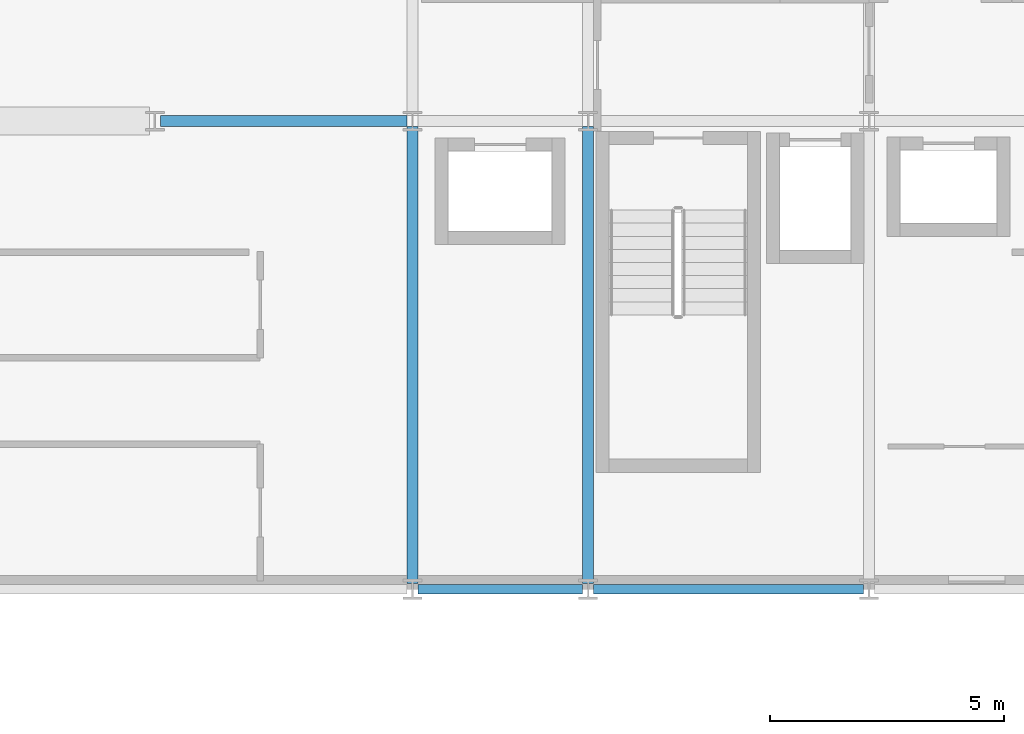
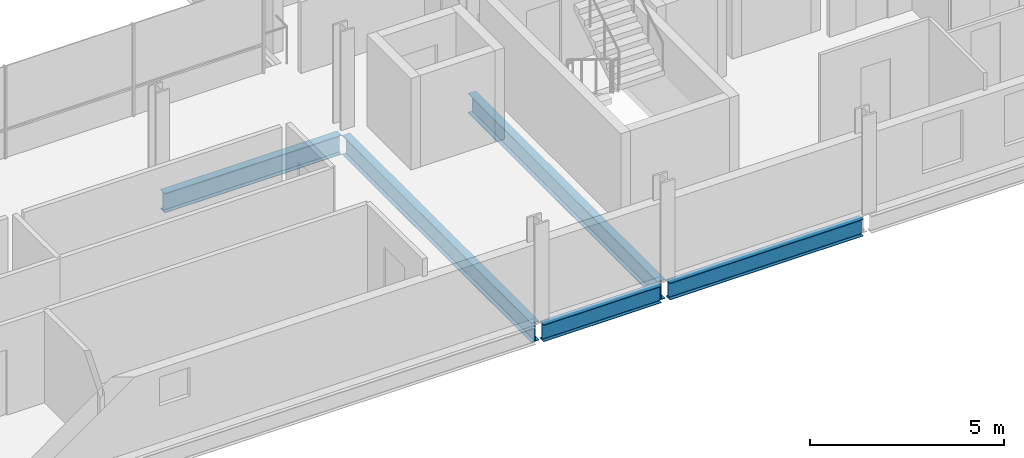
# One storey, part 12 of 40: 5 beams.
"""IFC4 building model written with IfcOpenShell, lengths in metres."""

import ifcopenshell
import ifcopenshell.guid

model = None  # the IFC model being written
_history = None  # IfcOwnerHistory: only IFC2X3 demands one
_inside = {}  # id of a spatial element -> (the spatial element, [elements in it])
_under = {}  # id of a project, library or spatial element -> (it, [spatial elements below it])
_declared = {}  # id of a project -> (the project, [libraries it declares])
_typed = {}  # id of a type object -> (the type object, [elements of that type])
_made_of = {}  # id of a material, layer set ... -> (it, [elements and type objects made of it])


def new_model(schema):
    """Start an empty IFC model of exactly this schema.

    Asked for "IFC4X3", IfcOpenShell would pick the latest addendum, in which some entities
    have other attributes; the version numbers below select the first issue.
    IFC2X3 requires an IfcOwnerHistory on every rooted entity: one is made here for all.
    """
    global model, _history
    if schema == "IFC4X3":
        model = ifcopenshell.file(schema_version=(4, 3, 0, 0))
    else:
        model = ifcopenshell.file(schema=schema)
    _inside.clear()
    _under.clear()
    _declared.clear()
    _typed.clear()
    _made_of.clear()
    _history = None
    if model.schema == "IFC2X3":
        org = make("IfcOrganization", Name="unknown")
        user = make(
            "IfcPersonAndOrganization",
            ThePerson=make("IfcPerson", FamilyName="unknown"),
            TheOrganization=org,
        )
        app = make(
            "IfcApplication",
            ApplicationDeveloper=org,
            Version="unknown",
            ApplicationFullName="unknown",
            ApplicationIdentifier="unknown",
        )
        _history = make(
            "IfcOwnerHistory",
            OwningUser=user,
            OwningApplication=app,
            ChangeAction="ADDED",
            CreationDate=0,
        )
    return model


def make(cls, **values):
    """One entity of the class cls with the attributes given. An attribute that is None is left unset."""
    return model.create_entity(
        cls, **{name: value for name, value in values.items() if value is not None}
    )


def rooted(cls, **values):
    """An entity with a GlobalId (a new one), such as an element, a storey or a relation."""
    return make(cls, GlobalId=ifcopenshell.guid.new(), OwnerHistory=_history, **values)


def si_unit(unit_type, name, prefix=None):
    """IfcSIUnit, for example si_unit("LENGTHUNIT", "METRE", prefix="MILLI")."""
    return make("IfcSIUnit", UnitType=unit_type, Prefix=prefix, Name=name)


def assignment(units):
    """IfcUnitAssignment: the units of a project."""
    return None if units is None else make("IfcUnitAssignment", Units=units)


def point(xyz):
    """IfcCartesianPoint."""
    return None if xyz is None else make("IfcCartesianPoint", Coordinates=xyz)


def direction(xyz):
    """IfcDirection."""
    return None if xyz is None else make("IfcDirection", DirectionRatios=xyz)


def frame(location, z_axis=None, x_axis=None):
    """IfcAxis2Placement3D, a coordinate frame: its origin and axes. An axis left out is left unset."""
    return make(
        "IfcAxis2Placement3D",
        Location=point(location),
        Axis=direction(z_axis),
        RefDirection=direction(x_axis),
    )


def frame_2d(location, x_axis=None):
    """IfcAxis2Placement2D, a coordinate frame in the plane: its origin and x axis."""
    return make(
        "IfcAxis2Placement2D", Location=point(location), RefDirection=direction(x_axis)
    )


def origin():
    """The frame at (0, 0, 0) with its axes left unset."""
    return frame((0.0, 0.0, 0.0))


def origin_2d():
    """The frame at (0, 0) in the plane with its x axis left unset."""
    return frame_2d((0.0, 0.0))


def place(relative_to, where):
    """IfcLocalPlacement: puts the frame where relative to a parent placement (None: the world)."""
    return make(
        "IfcLocalPlacement", PlacementRelTo=relative_to, RelativePlacement=where
    )


def context(
    kind, dimensions, precision=None, world=None, true_north=None, identifier=None
):
    """IfcGeometricRepresentationContext, for example the 3D "Model" context."""
    return make(
        "IfcGeometricRepresentationContext",
        ContextIdentifier=identifier,
        ContextType=kind,
        CoordinateSpaceDimension=dimensions,
        Precision=precision,
        WorldCoordinateSystem=world,
        TrueNorth=true_north,
    )


def subcontext(parent, identifier, kind, view, scale=None):
    """IfcGeometricRepresentationSubContext, for example "Body" below "Model"."""
    return make(
        "IfcGeometricRepresentationSubContext",
        ContextIdentifier=identifier,
        ContextType=kind,
        ParentContext=parent,
        TargetScale=scale,
        TargetView=view,
    )


def project(units=None, contexts=None):
    """IfcProject with its units and contexts."""
    return rooted(
        "IfcProject",
        Name="project",
        RepresentationContexts=contexts,
        UnitsInContext=assignment(units),
    )


def spatial(cls, under=None, at=None, **own):
    """A site, building, storey or space (cls), placed at a placement, below another one or the project."""
    s = rooted(cls, ObjectPlacement=at, **own)
    if under is not None:
        _under.setdefault(under.id(), (under, []))[1].append(s)
    return s


def profile(cls, at=None, kind="AREA", **sizes):
    """A parametric profile (cls). Its sizes go by their IFC names, for example OverallWidth=200.0."""
    return make(cls, ProfileType=kind, Position=at, **sizes)


def i_section(**sizes):
    """IfcIShapeProfileDef."""
    return profile("IfcIShapeProfileDef", **sizes)


def extrude(swept, where, along, depth):
    """IfcExtrudedAreaSolid: the profile swept, set in the frame where, extruded along a direction by depth."""
    return make(
        "IfcExtrudedAreaSolid",
        SweptArea=swept,
        Position=where,
        ExtrudedDirection=direction(along),
        Depth=depth,
    )


def shape(context_of_items, identifier, shape_type, items):
    """IfcShapeRepresentation: the items that make up one representation, for example the "Body"."""
    return make(
        "IfcShapeRepresentation",
        ContextOfItems=context_of_items,
        RepresentationIdentifier=identifier,
        RepresentationType=shape_type,
        Items=items,
    )


def material(Name=None, Category=None):
    """IfcMaterial."""
    return make("IfcMaterial", Name=Name, Category=Category)


def material_profile(
    of_material, cross_section, Name=None, Category=None, Priority=None
):
    """IfcMaterialProfile: a cross section and its material."""
    return make(
        "IfcMaterialProfile",
        Name=Name,
        Material=of_material,
        Profile=cross_section,
        Priority=Priority,
        Category=Category,
    )


def profile_set(profiles, Name=None, composite=None):
    """IfcMaterialProfileSet."""
    return make(
        "IfcMaterialProfileSet",
        Name=Name,
        MaterialProfiles=profiles,
        CompositeProfile=composite,
    )


def made_of(thing, what):
    """Note that an element or type object is made of a material, layer set ...; save() writes the relation."""
    if what is not None:
        _made_of.setdefault(what.id(), (what, []))[1].append(thing)
    return thing


def type_object(cls, material=None, **own):
    """A type object (cls), such as IfcWallType, which elements share."""
    return made_of(rooted(cls, **own), material)


def element(
    cls,
    number,
    at=None,
    inside=None,
    cuts=None,
    type_object=None,
    material=None,
    context=None,
    identifier="Body",
    shape_type=None,
    held_by="IfcProductDefinitionShape",
    body=None,
    shapes=None,
    **own,
):
    """One element of the class cls, such as IfcWall. Its Tag is "e" and its number.

    at: its placement. inside: the storey or other place that contains it. cuts: it is an
    opening in that element (IfcRelVoidsElement). A single representation is given by context,
    identifier, shape_type and body (its items); several are given by shapes. held_by: the class
    of the entity that holds the representations. save() writes the other relations.
    """
    e = rooted(cls, Tag="e%d" % number, ObjectPlacement=at, **own)
    if body is not None:
        shapes = [shape(context, identifier, shape_type, body)]
    if shapes is not None:
        e.Representation = make(held_by, Representations=shapes)
    if inside is not None:
        _inside.setdefault(inside.id(), (inside, []))[1].append(e)
    if cuts is not None:
        rooted(
            "IfcRelVoidsElement", RelatingBuildingElement=cuts, RelatedOpeningElement=e
        )
    if type_object is not None:
        _typed.setdefault(type_object.id(), (type_object, []))[1].append(e)
    return made_of(e, material)


def aggregate(whole, parts):
    """IfcRelAggregates: a whole, such as a stair, and the parts it consists of."""
    return rooted("IfcRelAggregates", RelatingObject=whole, RelatedObjects=parts)


def save(model, path):
    """Write the relations noted so far, then the file.

    IfcRelAggregates (storeys below a building ...), IfcRelContainedInSpatialStructure (elements
    in a storey), IfcRelDefinesByType, IfcRelAssociatesMaterial and IfcRelDeclares: one each for
    every whole, place, type object, material and project.
    """
    for whole, parts in _under.values():
        aggregate(whole, parts)
    for where, things in _inside.values():
        rooted(
            "IfcRelContainedInSpatialStructure",
            RelatedElements=things,
            RelatingStructure=where,
        )
    for kind, things in _typed.values():
        rooted("IfcRelDefinesByType", RelatedObjects=things, RelatingType=kind)
    for what, things in _made_of.values():
        rooted("IfcRelAssociatesMaterial", RelatedObjects=things, RelatingMaterial=what)
    for by, libraries in _declared.values():
        rooted("IfcRelDeclares", RelatingContext=by, RelatedDefinitions=libraries)
    model.write(path)


model = new_model("IFC4")

# Units and contexts
model_context = context("Model", 3, precision=1e-05, world=origin(), true_north=direction((0.0, 1.0)))
body_context = subcontext(model_context, "Body", "Model", "MODEL_VIEW")
ifc_project = project(units=[si_unit("LENGTHUNIT", "METRE"), si_unit("AREAUNIT", "SQUARE_METRE"), si_unit("VOLUMEUNIT", "CUBIC_METRE"), si_unit("PLANEANGLEUNIT", "RADIAN"), si_unit("MASSUNIT", "GRAM", prefix="KILO")], contexts=[model_context])

# Site, building, storey
site_placement = place(None, origin())
site = spatial("IfcSite", under=ifc_project, at=site_placement, CompositionType="ELEMENT")
building_placement = place(site_placement, origin())
building = spatial("IfcBuilding", under=site, at=building_placement, Name="Brevholm Reach", CompositionType="ELEMENT")
storey_placement = place(building_placement, frame((0.0, 0.0, 119.0)))
storey = spatial("IfcBuildingStorey", under=building, at=storey_placement, Name="L35", CompositionType="ELEMENT", Elevation=119.0)

# Beams
ifc_material_1 = material(Name="Structural Steel S355J2", Category="steel")
ifc_material_profile_1 = material_profile(ifc_material_1, i_section(OverallWidth=0.209228515625, OverallDepth=0.533203125, WebThickness=0.010009765625, FlangeThickness=0.015625, FilletRadius=0.0126953125, at=origin_2d()), Name="UKB 533x210x92")
ifc_profile_set_1 = profile_set([ifc_material_profile_1], Name="Structural Steel S355J2")
beam_type_1 = type_object("IfcBeamType", Name="BM-SP533", PredefinedType="SPANDREL", material=ifc_profile_set_1)
beam_1_placement = place(storey_placement, frame((38.3701171875, 0.0, -0.486572265625), z_axis=(1.0, 0.0, 0.0), x_axis=(0.0, 1.0, 0.0)))
element("IfcBeam", 1, at=beam_1_placement, inside=storey, type_object=beam_type_1, Name="L35 SP-02 Framing Beam", PredefinedType="SPANDREL", context=body_context, shape_type="SweptSolid", body=[
    extrude(i_section(OverallWidth=0.209228515625, OverallDepth=0.533203125, WebThickness=0.010009765625, FlangeThickness=0.015625, FilletRadius=0.0126953125, at=origin_2d()), origin(), (0.0, 0.0, 1.0), 3.509765625),
])
beam_2_placement = place(storey_placement, frame((42.1201171875, 0.0, -0.486572265625), z_axis=(1.0, 0.0, 0.0), x_axis=(0.0, 1.0, 0.0)))
element("IfcBeam", 2, at=beam_2_placement, inside=storey, type_object=beam_type_1, Name="L35 SP-02 Framing Beam", PredefinedType="SPANDREL", context=body_context, shape_type="SweptSolid", body=[
    extrude(i_section(OverallWidth=0.209228515625, OverallDepth=0.533203125, WebThickness=0.010009765625, FlangeThickness=0.015625, FilletRadius=0.0126953125, at=origin_2d()), origin(), (0.0, 0.0, 1.0), 5.759765625),
])
ifc_material_2 = material(Name="Structural Steel S355J2", Category="steel")
ifc_material_profile_2 = material_profile(ifc_material_2, i_section(OverallWidth=0.22900390625, OverallDepth=0.6123046875, WebThickness=0.011962890625, FlangeThickness=0.01953125, FilletRadius=0.0126953125, at=origin_2d()), Name="UKB 610x229x125")
ifc_profile_set_2 = profile_set([ifc_material_profile_2], Name="Structural Steel S355J2")
beam_type_2 = type_object("IfcBeamType", Name="BM-SP610", PredefinedType="SPANDREL", material=ifc_profile_set_2)
beam_3_placement = place(storey_placement, frame((32.8701171875, 10.0, -0.526123046875), z_axis=(1.0, 0.0, 0.0), x_axis=(0.0, 1.0, 0.0)))
element("IfcBeam", 3, at=beam_3_placement, inside=storey, type_object=beam_type_2, Name="L35 SP-01 Framing Beam", PredefinedType="SPANDREL", context=body_context, shape_type="SweptSolid", body=[
    extrude(i_section(OverallWidth=0.22900390625, OverallDepth=0.6123046875, WebThickness=0.011962890625, FlangeThickness=0.01953125, FilletRadius=0.0126953125, at=origin_2d()), origin(), (0.0, 0.0, 1.0), 5.259765625),
])
for number, where, z_axis, x_axis, name in (
    (4, (38.25, 0.1201171875, -0.526123046875), (0.0, 1.0, 0.0), (-1.0, 0.0, 0.0), "L35 SP-01 Framing Beam"),
    (5, (42.0, 0.1201171875, -0.526123046875), (0.0, 1.0, 0.0), (-1.0, 0.0, 0.0), "L35 SP-01 Framing Beam"),
):
    element("IfcBeam", number, at=place(storey_placement, frame(where, z_axis=z_axis, x_axis=x_axis)), inside=storey, type_object=beam_type_2, Name=name, PredefinedType="SPANDREL", context=body_context, shape_type="SweptSolid", body=[
        extrude(i_section(OverallWidth=0.22900390625, OverallDepth=0.6123046875, WebThickness=0.011962890625, FlangeThickness=0.01953125, FilletRadius=0.0126953125, at=origin_2d()), origin(), (0.0, 0.0, 1.0), 9.759765625),
    ])

save(model, "model.ifc")
